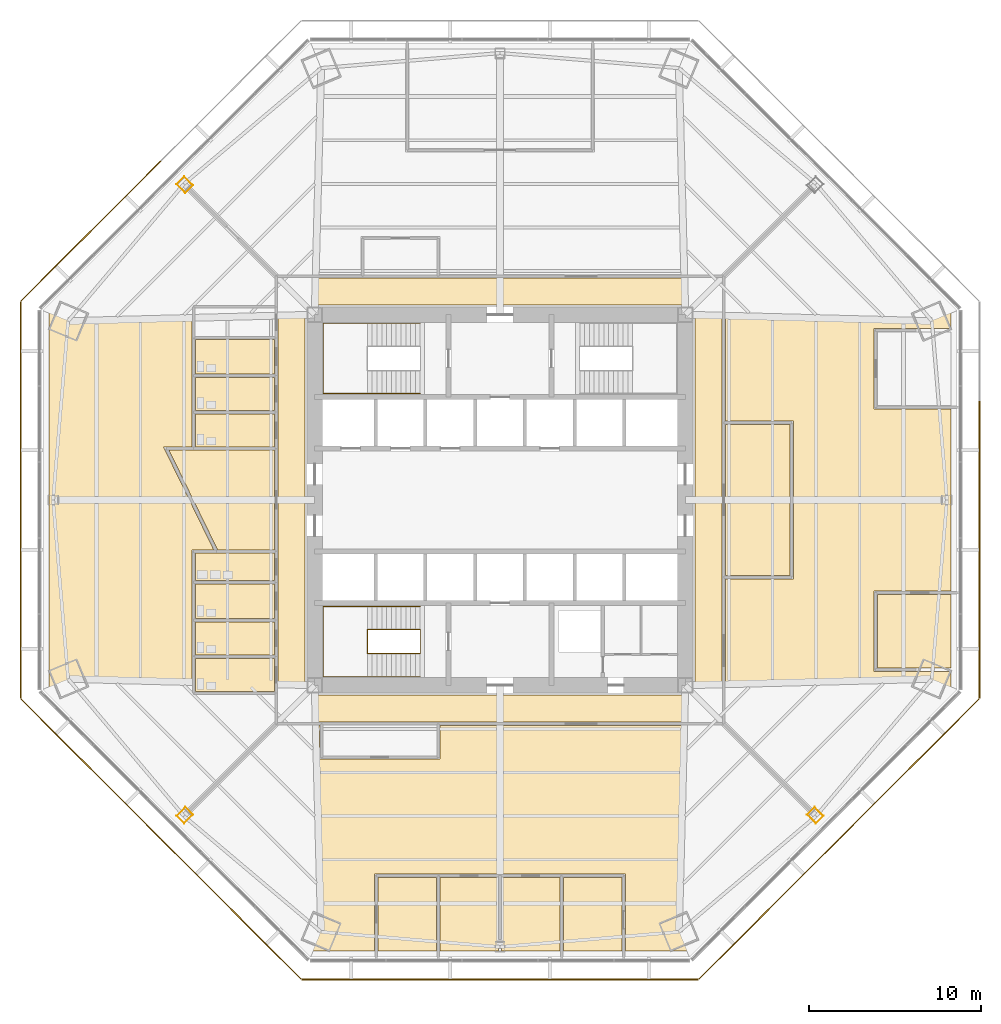
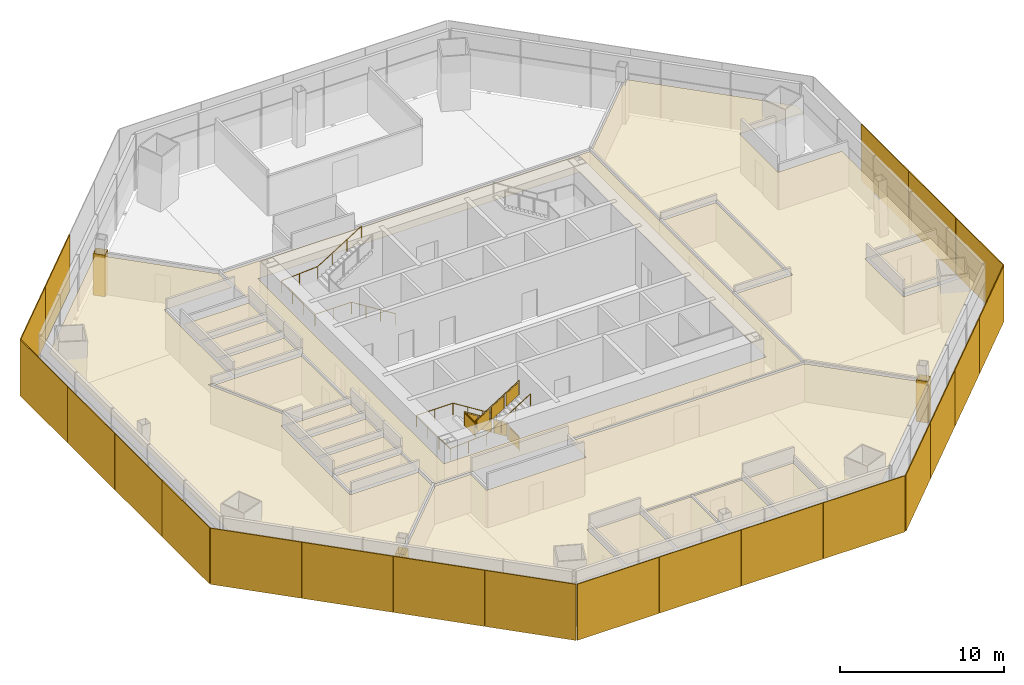
# One storey, part 12 of 14: 21 coverings, 21 shading devices, 3 railings.
"""IFC4 building model written with IfcOpenShell, lengths in metres."""

from ifc_helpers import new_model, si_unit, direction, frame, origin, origin_2d, place, context, subcontext, project, spatial, polyline, rectangle, circle, outline, extrude, source, transform, mapped, material, layer, layer_set, type_object, type_shapes, element, save


model = new_model("IFC4")

# Units and contexts
model_context = context("Model", 3, precision=1e-05, world=origin(), true_north=direction((0.0, 1.0)))
body_context = subcontext(model_context, "Body", "Model", "MODEL_VIEW")
ifc_project = project(units=[si_unit("LENGTHUNIT", "METRE"), si_unit("AREAUNIT", "SQUARE_METRE"), si_unit("VOLUMEUNIT", "CUBIC_METRE"), si_unit("PLANEANGLEUNIT", "RADIAN"), si_unit("MASSUNIT", "GRAM", prefix="KILO")], contexts=[model_context])

# Site, building, storey
site_placement = place(None, origin())
site = spatial("IfcSite", under=ifc_project, at=site_placement, CompositionType="ELEMENT")
building_placement = place(site_placement, origin())
building = spatial("IfcBuilding", under=site, at=building_placement, Name="Mashrafa Tower", CompositionType="ELEMENT")
storey_placement = place(building_placement, frame((0.0, 0.0, 41.39990234375)))
storey = spatial("IfcBuildingStorey", under=building, at=storey_placement, Name="L08", CompositionType="ELEMENT", Elevation=41.39990234375)

# Coverings
ifc_material_1 = material(Name="Gypsum board")
ifc_layer_1 = layer(ifc_material_1, 0.014892578125)
ifc_layer_set_1 = layer_set([ifc_layer_1], Name="Column casing plasterboard 15")
covering_type_1 = type_object("IfcCoveringType", Name="Column casing plasterboard 15", PredefinedType="CLADDING", material=ifc_layer_set_1)
covering_1_placement = place(storey_placement, origin())
element("IfcCovering", 1, at=covering_1_placement, inside=storey, type_object=covering_type_1, Name="Column casing L08-002", PredefinedType="CLADDING", context=body_context, shape_type="SweptSolid", body=[
    extrude(outline(polyline([(-18.861083984375, 18.415771484375), (-18.415771484375, 18.861083984375), (-17.885986328125, 18.33154296875), (-18.33154296875, 17.885986328125), (-18.861083984375, 18.415771484375)]), holes=[polyline([(-17.9072265625, 18.33154296875), (-18.415771484375, 18.83984375), (-18.83984375, 18.415771484375), (-18.33154296875, 17.9072265625), (-17.9072265625, 18.33154296875)])]), origin(), (0.0, 0.0, 1.0), 3.097900390625),
])
covering_2_placement = place(storey_placement, origin())
element("IfcCovering", 2, at=covering_2_placement, inside=storey, type_object=covering_type_1, Name="Column casing L08-003", PredefinedType="CLADDING", context=body_context, shape_type="SweptSolid", body=[
    extrude(outline(polyline([(-18.861083984375, -18.415771484375), (-18.33154296875, -17.885986328125), (-17.885986328125, -18.33154296875), (-18.415771484375, -18.861083984375), (-18.861083984375, -18.415771484375)]), holes=[polyline([(-17.9072265625, -18.33154296875), (-18.33154296875, -17.9072265625), (-18.83984375, -18.415771484375), (-18.415771484375, -18.83984375), (-17.9072265625, -18.33154296875)])]), origin(), (0.0, 0.0, 1.0), 3.097900390625),
])
covering_3_placement = place(storey_placement, origin())
element("IfcCovering", 3, at=covering_3_placement, inside=storey, type_object=covering_type_1, Name="Column casing L08-004", PredefinedType="CLADDING", context=body_context, shape_type="SweptSolid", body=[
    extrude(outline(polyline([(17.885986328125, -18.33154296875), (18.33154296875, -17.885986328125), (18.861083984375, -18.415771484375), (18.415771484375, -18.861083984375), (17.885986328125, -18.33154296875)]), holes=[polyline([(18.83984375, -18.415771484375), (18.33154296875, -17.9072265625), (17.9072265625, -18.33154296875), (18.415771484375, -18.83984375), (18.83984375, -18.415771484375)])]), origin(), (0.0, 0.0, 1.0), 3.097900390625),
])

# Railings
ifc_material_2 = material(Name="Steel guard with glass infill", Category="steel")
railing_type_1 = type_object("IfcRailingType", Name="Stair guard 1100", PredefinedType="GUARDRAIL", material=ifc_material_2)
railing_1_placement = place(storey_placement, frame((-4.64990234375, -8.949951171875, 0.0)))
element("IfcRailing", 4, at=railing_1_placement, inside=storey, type_object=railing_type_1, Name="Stair S3 guard L08", PredefinedType="GUARDRAIL", context=body_context, shape_type="SweptSolid", body=[
    extrude(circle(Radius=0.02392578125, at=origin_2d()), frame((0.0, 0.0, 1.076171875), z_axis=(0.0, 1.0, 0.0), x_axis=(-1.0, 0.0, 0.0)), (0.0, 0.0, 1.0), 1.39990234375),
    extrude(circle(Radius=0.02392578125, at=origin_2d()), frame((0.0, 1.39990234375, 1.076171875), z_axis=(0.0, 0.0, 1.0), x_axis=(1.0, 0.0, 0.0)), (0.0, 0.0, 1.0), 0.175048828125),
    extrude(circle(Radius=0.02392578125, at=origin_2d()), frame((0.0, 1.39990234375, 1.2509765625), z_axis=(-0.847998304005, 0.0, 0.529998940003), x_axis=(0.0, -1.0, 0.0)), (0.0, 0.0, 1.0), 3.632080078125),
    extrude(circle(Radius=0.02392578125, at=origin_2d()), frame((-3.080078125, 1.39990234375, 3.17626953125), z_axis=(0.0, -1.0, 0.0), x_axis=(1.0, 0.0, 0.0)), (0.0, 0.0, 1.0), 1.39990234375),
    extrude(circle(Radius=0.02392578125, at=origin_2d()), frame((-3.080078125, 0.0, 3.17626953125), z_axis=(0.0, 0.0, 1.0), x_axis=(1.0, 0.0, 0.0)), (0.0, 0.0, 1.0), 0.175048828125),
    extrude(circle(Radius=0.02392578125, at=origin_2d()), frame((-3.080078125, 0.0, 3.35107421875), z_axis=(0.847998304005, 0.0, 0.529998940003), x_axis=(0.0, 1.0, 0.0)), (0.0, 0.0, 1.0), 3.632080078125),
    extrude(circle(Radius=0.02099609375, at=origin_2d()), origin(), (0.0, 0.0, 1.0), 1.052001953125),
    extrude(circle(Radius=0.02099609375, at=origin_2d()), frame((0.0, 1.39990234375, 0.0)), (0.0, 0.0, 1.0), 1.052001953125),
    extrude(circle(Radius=0.02099609375, at=origin_2d()), frame((0.0, 1.39990234375, 0.175048828125)), (0.0, 0.0, 1.0), 1.052001953125),
    extrude(circle(Radius=0.02099609375, at=origin_2d()), frame((-1.026611328125, 1.39990234375, 0.816650390625)), (0.0, 0.0, 1.0), 1.052001953125),
    extrude(circle(Radius=0.02099609375, at=origin_2d()), frame((-2.053466796875, 1.39990234375, 1.45849609375)), (0.0, 0.0, 1.0), 1.052001953125),
    extrude(circle(Radius=0.02099609375, at=origin_2d()), frame((-3.080078125, 1.39990234375, 2.10009765625)), (0.0, 0.0, 1.0), 1.052001953125),
    extrude(circle(Radius=0.02099609375, at=origin_2d()), frame((-3.080078125, 0.0, 2.10009765625)), (0.0, 0.0, 1.0), 1.052001953125),
    extrude(circle(Radius=0.02099609375, at=origin_2d()), frame((-3.080078125, 0.0, 2.275146484375)), (0.0, 0.0, 1.0), 1.052001953125),
    extrude(circle(Radius=0.02099609375, at=origin_2d()), frame((-2.053466796875, 0.0, 2.916748046875)), (0.0, 0.0, 1.0), 1.052001953125),
    extrude(circle(Radius=0.02099609375, at=origin_2d()), frame((-1.026611328125, 0.0, 3.55859375)), (0.0, 0.0, 1.0), 1.052001953125),
    extrude(circle(Radius=0.02099609375, at=origin_2d()), frame((0.0, 0.0, 4.2001953125)), (0.0, 0.0, 1.0), 1.052001953125),
    extrude(outline(polyline([(0.071044921875, 0.050048828125), (1.328857421875, 0.050048828125), (1.328857421875, 1.001953125), (0.071044921875, 1.001953125), (0.071044921875, 0.050048828125)])), frame((0.006103515625, 0.0, 0.0), z_axis=(1.0, 0.0, 0.0), x_axis=(0.0, 1.0, 0.0)), (0.0, 0.0, 1.0), 0.011962890625),
    extrude(outline(polyline([(0.071044921875, 0.094482421875), (0.955810546875, 0.647216796875), (0.955810546875, 1.599365234375), (0.071044921875, 1.04638671875), (0.071044921875, 0.094482421875)])), frame((0.0, 1.406005859375, 0.175048828125), z_axis=(0.0, 1.0, 0.0), x_axis=(-1.0, 0.0, 0.0)), (0.0, 0.0, 1.0), 0.011962890625),
    extrude(outline(polyline([(1.09765625, 0.736083984375), (1.982421875, 1.2890625), (1.982421875, 2.240966796875), (1.09765625, 1.68798828125), (1.09765625, 0.736083984375)])), frame((0.0, 1.406005859375, 0.175048828125), z_axis=(0.0, 1.0, 0.0), x_axis=(-1.0, 0.0, 0.0)), (0.0, 0.0, 1.0), 0.011962890625),
    extrude(outline(polyline([(2.124267578125, 1.377685546875), (3.009033203125, 1.9306640625), (3.009033203125, 2.882568359375), (2.124267578125, 2.329833984375), (2.124267578125, 1.377685546875)])), frame((0.0, 1.406005859375, 0.175048828125), z_axis=(0.0, 1.0, 0.0), x_axis=(-1.0, 0.0, 0.0)), (0.0, 0.0, 1.0), 0.011962890625),
    extrude(outline(polyline([(0.071044921875, 0.050048828125), (1.328857421875, 0.050048828125), (1.328857421875, 1.001953125), (0.071044921875, 1.001953125), (0.071044921875, 0.050048828125)])), frame((-3.086181640625, 1.39990234375, 2.10009765625), z_axis=(-1.0, 0.0, 0.0), x_axis=(0.0, -1.0, 0.0)), (0.0, 0.0, 1.0), 0.011962890625),
    extrude(outline(polyline([(0.071044921875, 0.094482421875), (0.955810546875, 0.647216796875), (0.955810546875, 1.599365234375), (0.071044921875, 1.04638671875), (0.071044921875, 0.094482421875)])), frame((-3.080078125, -0.006103515625, 2.275146484375), z_axis=(0.0, -1.0, 0.0), x_axis=(1.0, 0.0, 0.0)), (0.0, 0.0, 1.0), 0.011962890625),
    extrude(outline(polyline([(1.09765625, 0.736083984375), (1.982421875, 1.2890625), (1.982421875, 2.240966796875), (1.09765625, 1.68798828125), (1.09765625, 0.736083984375)])), frame((-3.080078125, -0.006103515625, 2.275146484375), z_axis=(0.0, -1.0, 0.0), x_axis=(1.0, 0.0, 0.0)), (0.0, 0.0, 1.0), 0.011962890625),
    extrude(outline(polyline([(2.124267578125, 1.377685546875), (3.009033203125, 1.9306640625), (3.009033203125, 2.882568359375), (2.124267578125, 2.329833984375), (2.124267578125, 1.377685546875)])), frame((-3.080078125, -0.006103515625, 2.275146484375), z_axis=(0.0, -1.0, 0.0), x_axis=(1.0, 0.0, 0.0)), (0.0, 0.0, 1.0), 0.011962890625),
])
ifc_material_3 = material(Name="Steel", Category="steel")
railing_type_2 = type_object("IfcRailingType", Name="Stair handrail 900", PredefinedType="HANDRAIL", material=ifc_material_3)
railing_2_placement = place(storey_placement, frame((-4.64990234375, 6.199951171875, 0.175048828125)))
element("IfcRailing", 5, at=railing_2_placement, inside=storey, type_object=railing_type_2, Name="Stair S1 handrail L08", PredefinedType="HANDRAIL", context=body_context, shape_type="SweptSolid", body=[
    extrude(circle(Radius=0.02392578125, at=origin_2d()), frame((0.0, 0.0, 0.8759765625), z_axis=(-0.847998304005, 0.0, 0.529998940003), x_axis=(0.0, -1.0, 0.0)), (0.0, 0.0, 1.0), 3.632080078125),
    extrude(circle(Radius=0.02392578125, at=origin_2d()), frame((-3.080078125, 0.0, 2.80078125), z_axis=(-1.0, 0.0, 0.0), x_axis=(0.0, -1.0, 0.0)), (0.0, 0.0, 1.0), 2.570068359375),
    extrude(circle(Radius=0.02392578125, at=origin_2d()), frame((-5.650146484375, 0.0, 2.80078125), z_axis=(0.0, 1.0, 0.0), x_axis=(-1.0, 0.0, 0.0)), (0.0, 0.0, 1.0), 4.10009765625),
    extrude(circle(Radius=0.02392578125, at=origin_2d()), frame((-5.650146484375, 4.10009765625, 2.80078125), z_axis=(0.997688514158, 0.0, 0.067953136188), x_axis=(0.0, 1.0, 0.0)), (0.0, 0.0, 1.0), 2.575927734375),
    extrude(circle(Radius=0.02392578125, at=origin_2d()), frame((-3.080078125, 4.10009765625, 2.97607421875), z_axis=(0.847998304005, 0.0, 0.529998940003), x_axis=(0.0, 1.0, 0.0)), (0.0, 0.0, 1.0), 3.632080078125),
    extrude(circle(Radius=0.02099609375, at=origin_2d()), origin(), (0.0, 0.0, 1.0), 0.851806640625),
    extrude(circle(Radius=0.02099609375, at=origin_2d()), frame((-1.026611328125, 0.0, 0.6416015625)), (0.0, 0.0, 1.0), 0.851806640625),
    extrude(circle(Radius=0.02099609375, at=origin_2d()), frame((-2.053466796875, 0.0, 1.283447265625)), (0.0, 0.0, 1.0), 0.851806640625),
    extrude(circle(Radius=0.02099609375, at=origin_2d()), frame((-3.080078125, 0.0, 1.925048828125)), (0.0, 0.0, 1.0), 0.851806640625),
    extrude(circle(Radius=0.02099609375, at=origin_2d()), frame((-4.365234375, 0.0, 1.925048828125)), (0.0, 0.0, 1.0), 0.851806640625),
    extrude(circle(Radius=0.02099609375, at=origin_2d()), frame((-5.650146484375, 0.0, 1.925048828125)), (0.0, 0.0, 1.0), 0.851806640625),
    extrude(circle(Radius=0.02099609375, at=origin_2d()), frame((-5.650146484375, 1.36669921875, 1.925048828125)), (0.0, 0.0, 1.0), 0.851806640625),
    extrude(circle(Radius=0.02099609375, at=origin_2d()), frame((-5.650146484375, 2.7333984375, 1.925048828125)), (0.0, 0.0, 1.0), 0.851806640625),
    extrude(circle(Radius=0.02099609375, at=origin_2d()), frame((-5.650146484375, 4.10009765625, 1.925048828125)), (0.0, 0.0, 1.0), 0.851806640625),
    extrude(circle(Radius=0.02099609375, at=origin_2d()), frame((-4.365234375, 4.10009765625, 2.0126953125)), (0.0, 0.0, 1.0), 0.851806640625),
    extrude(circle(Radius=0.02099609375, at=origin_2d()), frame((-3.080078125, 4.10009765625, 2.10009765625)), (0.0, 0.0, 1.0), 0.851806640625),
    extrude(circle(Radius=0.02099609375, at=origin_2d()), frame((-2.053466796875, 4.10009765625, 2.74169921875)), (0.0, 0.0, 1.0), 0.851806640625),
    extrude(circle(Radius=0.02099609375, at=origin_2d()), frame((-1.026611328125, 4.10009765625, 3.383544921875)), (0.0, 0.0, 1.0), 0.851806640625),
    extrude(circle(Radius=0.02099609375, at=origin_2d()), frame((0.0, 4.10009765625, 4.025146484375)), (0.0, 0.0, 1.0), 0.851806640625),
])
railing_3_placement = place(storey_placement, frame((-4.64990234375, -6.199951171875, 0.175048828125)))
element("IfcRailing", 6, at=railing_3_placement, inside=storey, type_object=railing_type_2, Name="Stair S3 handrail L08", PredefinedType="HANDRAIL", context=body_context, shape_type="SweptSolid", body=[
    extrude(circle(Radius=0.02392578125, at=origin_2d()), frame((0.0, 0.0, 0.8759765625), z_axis=(-0.847998304005, 0.0, 0.529998940003), x_axis=(0.0, -1.0, 0.0)), (0.0, 0.0, 1.0), 3.632080078125),
    extrude(circle(Radius=0.02392578125, at=origin_2d()), frame((-3.080078125, 0.0, 2.80078125), z_axis=(-1.0, 0.0, 0.0), x_axis=(0.0, -1.0, 0.0)), (0.0, 0.0, 1.0), 2.570068359375),
    extrude(circle(Radius=0.02392578125, at=origin_2d()), frame((-5.650146484375, 0.0, 2.80078125), z_axis=(0.0, -1.0, 0.0), x_axis=(1.0, 0.0, 0.0)), (0.0, 0.0, 1.0), 4.10009765625),
    extrude(circle(Radius=0.02392578125, at=origin_2d()), frame((-5.650146484375, -4.10009765625, 2.80078125), z_axis=(0.997688514158, 0.0, 0.067953136188), x_axis=(0.0, 1.0, 0.0)), (0.0, 0.0, 1.0), 2.575927734375),
    extrude(circle(Radius=0.02392578125, at=origin_2d()), frame((-3.080078125, -4.10009765625, 2.97607421875), z_axis=(0.847998304005, 0.0, 0.529998940003), x_axis=(0.0, 1.0, 0.0)), (0.0, 0.0, 1.0), 3.632080078125),
    extrude(circle(Radius=0.02099609375, at=origin_2d()), origin(), (0.0, 0.0, 1.0), 0.851806640625),
    extrude(circle(Radius=0.02099609375, at=origin_2d()), frame((-1.026611328125, 0.0, 0.6416015625)), (0.0, 0.0, 1.0), 0.851806640625),
    extrude(circle(Radius=0.02099609375, at=origin_2d()), frame((-2.053466796875, 0.0, 1.283447265625)), (0.0, 0.0, 1.0), 0.851806640625),
    extrude(circle(Radius=0.02099609375, at=origin_2d()), frame((-3.080078125, 0.0, 1.925048828125)), (0.0, 0.0, 1.0), 0.851806640625),
    extrude(circle(Radius=0.02099609375, at=origin_2d()), frame((-4.365234375, 0.0, 1.925048828125)), (0.0, 0.0, 1.0), 0.851806640625),
    extrude(circle(Radius=0.02099609375, at=origin_2d()), frame((-5.650146484375, 0.0, 1.925048828125)), (0.0, 0.0, 1.0), 0.851806640625),
    extrude(circle(Radius=0.02099609375, at=origin_2d()), frame((-5.650146484375, -1.36669921875, 1.925048828125)), (0.0, 0.0, 1.0), 0.851806640625),
    extrude(circle(Radius=0.02099609375, at=origin_2d()), frame((-5.650146484375, -2.7333984375, 1.925048828125)), (0.0, 0.0, 1.0), 0.851806640625),
    extrude(circle(Radius=0.02099609375, at=origin_2d()), frame((-5.650146484375, -4.10009765625, 1.925048828125)), (0.0, 0.0, 1.0), 0.851806640625),
    extrude(circle(Radius=0.02099609375, at=origin_2d()), frame((-4.365234375, -4.10009765625, 2.0126953125)), (0.0, 0.0, 1.0), 0.851806640625),
    extrude(circle(Radius=0.02099609375, at=origin_2d()), frame((-3.080078125, -4.10009765625, 2.10009765625)), (0.0, 0.0, 1.0), 0.851806640625),
    extrude(circle(Radius=0.02099609375, at=origin_2d()), frame((-2.053466796875, -4.10009765625, 2.74169921875)), (0.0, 0.0, 1.0), 0.851806640625),
    extrude(circle(Radius=0.02099609375, at=origin_2d()), frame((-1.026611328125, -4.10009765625, 3.383544921875)), (0.0, 0.0, 1.0), 0.851806640625),
    extrude(circle(Radius=0.02099609375, at=origin_2d()), frame((0.0, -4.10009765625, 4.025146484375)), (0.0, 0.0, 1.0), 0.851806640625),
])

# Coverings
ifc_material_4 = material(Name="Mineral fibre tile on suspension grid")
ifc_layer_2 = layer(ifc_material_4, 0.014892578125)
ifc_layer_set_2 = layer_set([ifc_layer_2], Name="Suspended ceiling mineral tile 15")
covering_type_2 = type_object("IfcCoveringType", Name="Suspended ceiling mineral tile 15", PredefinedType="CEILING", material=ifc_layer_set_2)
covering_4_placement = place(storey_placement, frame((0.0, 0.0, 2.85009765625)))
element("IfcCovering", 7, at=covering_4_placement, inside=storey, type_object=covering_type_2, Name="Ceiling Office Corridor L08", PredefinedType="CEILING", context=body_context, shape_type="SweptSolid", body=[
    extrude(outline(polyline([(-12.949951171875, -12.949951171875), (-12.949951171875, 12.949951171875), (12.949951171875, 12.949951171875), (12.949951171875, -12.949951171875), (-12.949951171875, -12.949951171875)]), holes=[polyline([(11.35009765625, 11.35009765625), (-11.35009765625, 11.35009765625), (-11.35009765625, -11.35009765625), (11.35009765625, -11.35009765625), (11.35009765625, 11.35009765625)])]), origin(), (0.0, 0.0, 1.0), 0.014892578125),
])
covering_5_placement = place(storey_placement, frame((0.0, 0.0, 2.900146484375)))
element("IfcCovering", 8, at=covering_5_placement, inside=storey, type_object=covering_type_2, Name="Ceiling WC Female L08 N", PredefinedType="CEILING", context=body_context, shape_type="SweptSolid", body=[
    extrude(outline(polyline([(-17.75, 3.10009765625), (-17.75, 5.02490234375), (-13.14990234375, 5.02490234375), (-13.14990234375, 3.10009765625), (-17.75, 3.10009765625)])), origin(), (0.0, 0.0, 1.0), 0.014892578125),
])
covering_6_placement = place(storey_placement, frame((0.0, 0.0, 2.900146484375)))
element("IfcCovering", 9, at=covering_6_placement, inside=storey, type_object=covering_type_2, Name="Ceiling WC Male L08 N", PredefinedType="CEILING", context=body_context, shape_type="SweptSolid", body=[
    extrude(outline(polyline([(-17.75, 5.22509765625), (-17.75, 7.14990234375), (-13.14990234375, 7.14990234375), (-13.14990234375, 5.22509765625), (-17.75, 5.22509765625)])), origin(), (0.0, 0.0, 1.0), 0.014892578125),
])
covering_7_placement = place(storey_placement, frame((0.0, 0.0, 2.900146484375)))
element("IfcCovering", 10, at=covering_7_placement, inside=storey, type_object=covering_type_2, Name="Ceiling Accessible WC L08 N", PredefinedType="CEILING", context=body_context, shape_type="SweptSolid", body=[
    extrude(outline(polyline([(-17.75, 7.35009765625), (-17.75, 9.35009765625), (-13.14990234375, 9.35009765625), (-13.14990234375, 7.35009765625), (-17.75, 7.35009765625)])), origin(), (0.0, 0.0, 1.0), 0.014892578125),
])
covering_8_placement = place(storey_placement, frame((0.0, 0.0, 2.900146484375)))
element("IfcCovering", 11, at=covering_8_placement, inside=storey, type_object=covering_type_2, Name="Ceiling WC Female L08 S", PredefinedType="CEILING", context=body_context, shape_type="SweptSolid", body=[
    extrude(outline(polyline([(-17.75, -11.14990234375), (-17.75, -9.22509765625), (-13.14990234375, -9.22509765625), (-13.14990234375, -11.14990234375), (-17.75, -11.14990234375)])), origin(), (0.0, 0.0, 1.0), 0.014892578125),
])
covering_9_placement = place(storey_placement, frame((0.0, 0.0, 2.900146484375)))
element("IfcCovering", 12, at=covering_9_placement, inside=storey, type_object=covering_type_2, Name="Ceiling WC Male L08 S", PredefinedType="CEILING", context=body_context, shape_type="SweptSolid", body=[
    extrude(outline(polyline([(-17.75, -9.02490234375), (-17.75, -7.10009765625), (-13.14990234375, -7.10009765625), (-13.14990234375, -9.02490234375), (-17.75, -9.02490234375)])), origin(), (0.0, 0.0, 1.0), 0.014892578125),
])
covering_10_placement = place(storey_placement, frame((0.0, 0.0, 2.900146484375)))
element("IfcCovering", 13, at=covering_10_placement, inside=storey, type_object=covering_type_2, Name="Ceiling Accessible WC L08 S", PredefinedType="CEILING", context=body_context, shape_type="SweptSolid", body=[
    extrude(outline(polyline([(-17.75, -6.89990234375), (-17.75, -4.89990234375), (-13.14990234375, -4.89990234375), (-13.14990234375, -6.89990234375), (-17.75, -6.89990234375)])), origin(), (0.0, 0.0, 1.0), 0.014892578125),
])
covering_11_placement = place(storey_placement, frame((0.0, 0.0, 2.900146484375)))
element("IfcCovering", 14, at=covering_11_placement, inside=storey, type_object=covering_type_2, Name="Ceiling Ablution Room L08 S", PredefinedType="CEILING", context=body_context, shape_type="SweptSolid", body=[
    extrude(outline(polyline([(-17.75, -4.699951171875), (-17.75, -3.10009765625), (-13.14990234375, -3.10009765625), (-13.14990234375, -4.699951171875), (-17.75, -4.699951171875)])), origin(), (0.0, 0.0, 1.0), 0.014892578125),
])
covering_12_placement = place(storey_placement, frame((0.0, 0.0, 2.85009765625)))
element("IfcCovering", 15, at=covering_12_placement, inside=storey, type_object=covering_type_2, Name="Ceiling Musallah Prayer Room 08", PredefinedType="CEILING", context=body_context, shape_type="SweptSolid", body=[
    extrude(outline(polyline([(-16.461181640625, -2.89990234375), (-19.2900390625, 2.89990234375), (-13.14990234375, 2.89990234375), (-13.14990234375, -2.89990234375), (-16.461181640625, -2.89990234375)])), origin(), (0.0, 0.0, 1.0), 0.014892578125),
])
covering_13_placement = place(storey_placement, frame((0.0, 0.0, 2.85009765625)))
element("IfcCovering", 16, at=covering_13_placement, inside=storey, type_object=covering_type_2, Name="Ceiling Reception and Waiting 08", PredefinedType="CEILING", context=body_context, shape_type="SweptSolid", body=[
    extrude(outline(polyline([(13.14990234375, 4.39990234375), (16.89990234375, 4.39990234375), (16.89990234375, -4.39990234375), (13.14990234375, -4.39990234375), (13.14990234375, 4.39990234375)])), origin(), (0.0, 0.0, 1.0), 0.014892578125),
])
covering_14_placement = place(storey_placement, frame((0.0, 0.0, 2.900146484375)))
element("IfcCovering", 17, at=covering_14_placement, inside=storey, type_object=covering_type_2, Name="Ceiling Executive Office 08-1", PredefinedType="CEILING", context=body_context, shape_type="SweptSolid", body=[
    extrude(outline(polyline([(-7.10009765625, -21.99365234375), (-3.699951171875, -21.99365234375), (-3.699951171875, -26.293701171875), (-7.10009765625, -26.293701171875), (-7.10009765625, -21.99365234375)])), origin(), (0.0, 0.0, 1.0), 0.014892578125),
])
covering_15_placement = place(storey_placement, frame((0.0, 0.0, 2.900146484375)))
element("IfcCovering", 18, at=covering_15_placement, inside=storey, type_object=covering_type_2, Name="Ceiling Executive Office 08-2", PredefinedType="CEILING", context=body_context, shape_type="SweptSolid", body=[
    extrude(outline(polyline([(-3.5, -21.99365234375), (-0.10009765625, -21.99365234375), (-0.10009765625, -26.293701171875), (-3.5, -26.293701171875), (-3.5, -21.99365234375)])), origin(), (0.0, 0.0, 1.0), 0.014892578125),
])
covering_16_placement = place(storey_placement, frame((0.0, 0.0, 2.900146484375)))
element("IfcCovering", 19, at=covering_16_placement, inside=storey, type_object=covering_type_2, Name="Ceiling Executive Office 08-3", PredefinedType="CEILING", context=body_context, shape_type="SweptSolid", body=[
    extrude(outline(polyline([(0.10009765625, -21.99365234375), (3.5, -21.99365234375), (3.5, -26.293701171875), (0.10009765625, -26.293701171875), (0.10009765625, -21.99365234375)])), origin(), (0.0, 0.0, 1.0), 0.014892578125),
])
covering_17_placement = place(storey_placement, frame((0.0, 0.0, 2.900146484375)))
element("IfcCovering", 20, at=covering_17_placement, inside=storey, type_object=covering_type_2, Name="Ceiling Executive Office 08-4", PredefinedType="CEILING", context=body_context, shape_type="SweptSolid", body=[
    extrude(outline(polyline([(3.699951171875, -21.99365234375), (7.10009765625, -21.99365234375), (7.10009765625, -26.293701171875), (3.699951171875, -26.293701171875), (3.699951171875, -21.99365234375)])), origin(), (0.0, 0.0, 1.0), 0.014892578125),
])
covering_18_placement = place(storey_placement, frame((0.0, 0.0, 2.900146484375)))
element("IfcCovering", 21, at=covering_18_placement, inside=storey, type_object=covering_type_2, Name="Ceiling Meeting Room 08-2", PredefinedType="CEILING", context=body_context, shape_type="SweptSolid", body=[
    extrude(outline(polyline([(21.99365234375, -5.5), (26.293701171875, -5.5), (26.293701171875, -9.800048828125), (21.99365234375, -9.800048828125), (21.99365234375, -5.5)])), origin(), (0.0, 0.0, 1.0), 0.014892578125),
])
covering_19_placement = place(storey_placement, frame((0.0, 0.0, 2.85009765625)))
element("IfcCovering", 22, at=covering_19_placement, inside=storey, type_object=covering_type_2, Name="Ceiling Private Banking Office 08", PredefinedType="CEILING", context=body_context, shape_type="SweptSolid", body=[
    extrude(outline(polyline([(13.14990234375, 13.008544921875), (18.6630859375, 18.521484375), (26.293701171875, 10.89111328125), (26.293701171875, 10.0), (21.793701171875, 10.0), (21.793701171875, 5.300048828125), (26.293701171875, 5.300048828125), (26.293701171875, -5.300048828125), (21.793701171875, -5.300048828125), (21.793701171875, -10.0), (26.293701171875, -10.0), (26.293701171875, -10.89111328125), (18.6630859375, -18.521484375), (13.14990234375, -13.008544921875), (13.14990234375, -4.60009765625), (17.10009765625, -4.60009765625), (17.10009765625, 4.60009765625), (13.14990234375, 4.60009765625), (13.14990234375, 13.008544921875)])), origin(), (0.0, 0.0, 1.0), 0.014892578125),
])
covering_20_placement = place(storey_placement, frame((0.0, 0.0, 2.85009765625)))
element("IfcCovering", 23, at=covering_20_placement, inside=storey, type_object=covering_type_2, Name="Ceiling Treasury Operations Office 08", PredefinedType="CEILING", context=body_context, shape_type="SweptSolid", body=[
    extrude(outline(polyline([(13.008544921875, -13.14990234375), (18.521484375, -18.6630859375), (10.89111328125, -26.293701171875), (7.300048828125, -26.293701171875), (7.300048828125, -21.793701171875), (-7.300048828125, -21.793701171875), (-7.300048828125, -26.293701171875), (-10.89111328125, -26.293701171875), (-18.521484375, -18.6630859375), (-13.008544921875, -13.14990234375), (-10.5, -13.14990234375), (-10.5, -15.10009765625), (-3.5, -15.10009765625), (-3.5, -13.14990234375), (13.008544921875, -13.14990234375)])), origin(), (0.0, 0.0, 1.0), 0.014892578125),
])
covering_21_placement = place(storey_placement, frame((0.0, 0.0, 2.85009765625)))
element("IfcCovering", 24, at=covering_21_placement, inside=storey, type_object=covering_type_2, Name="Ceiling Risk and Compliance Office 08", PredefinedType="CEILING", context=body_context, shape_type="SweptSolid", body=[
    extrude(outline(polyline([(-13.14990234375, -13.008544921875), (-18.6630859375, -18.521484375), (-26.293701171875, -10.89111328125), (-26.293701171875, 10.89111328125), (-18.6630859375, 18.521484375), (-13.14990234375, 13.008544921875), (-13.14990234375, 11.35009765625), (-17.949951171875, 11.35009765625), (-17.949951171875, 3.10009765625), (-19.610107421875, 3.10009765625), (-16.68359375, -2.89990234375), (-17.949951171875, -2.89990234375), (-17.949951171875, -11.35009765625), (-13.14990234375, -11.35009765625), (-13.14990234375, -13.008544921875)])), origin(), (0.0, 0.0, 1.0), 0.014892578125),
])

# Shading devices
ifc_material_5 = material(Name="Perforated aluminium plate, eight-point star pattern", Category="aluminium")
ifc_layer_3 = layer(ifc_material_5, 0.06005859375)
ifc_layer_set_3 = layer_set([ifc_layer_3], Name="Mashrabiya screen panel office zone 1, 45 percent open")
shading_device_type = type_object("IfcShadingDeviceType", Name="Mashrabiya screen panel office zone 1, 45 percent open", PredefinedType="SHUTTER", material=ifc_layer_set_3)
shared_shape = source(origin(), body_context, "Body", "SweptSolid", [
    extrude(rectangle(XDim=5.756103515625, YDim=0.06005859375, at=origin_2d()), origin(), (0.0, 0.0, 1.0), 4.179931640625),
])
type_shapes(shading_device_type, [shared_shape])
for number, where, z_axis, x_axis, name in (
    (25, (27.943603515625, -8.6640625, -0.14990234375), (0.0, 0.0, 1.0), (0.0, 1.0, 0.0), "Mashrabiya screen L08 east 1"),
    (26, (27.943603515625, -2.887939453125, -0.14990234375), (0.0, 0.0, 1.0), (0.0, 1.0, 0.0), "Mashrabiya screen L08 east 2"),
    (27, (27.943603515625, 2.887939453125, -0.14990234375), (0.0, 0.0, 1.0), (0.0, 1.0, 0.0), "Mashrabiya screen L08 east 3"),
    (28, (-21.80126953125, 17.717041015625, -0.14990234375), (0.0, 0.0, 1.0), (-0.707106781187, -0.707106781187, 0.0), "Mashrabiya screen L08 north-west 3"),
    (29, (-25.885498046875, 13.632568359375, -0.14990234375), (0.0, 0.0, 1.0), (-0.707106781187, -0.707106781187, 0.0), "Mashrabiya screen L08 north-west 4"),
    (30, (-27.943603515625, 8.6640625, -0.14990234375), (0.0, 0.0, 1.0), (0.0, -1.0, 0.0), "Mashrabiya screen L08 west 1"),
    (31, (-27.943603515625, 2.887939453125, -0.14990234375), (0.0, 0.0, 1.0), (0.0, -1.0, 0.0), "Mashrabiya screen L08 west 2"),
    (32, (-27.943603515625, -2.887939453125, -0.14990234375), (0.0, 0.0, 1.0), (0.0, -1.0, 0.0), "Mashrabiya screen L08 west 3"),
    (33, (-27.943603515625, -8.6640625, -0.14990234375), (0.0, 0.0, 1.0), (0.0, -1.0, 0.0), "Mashrabiya screen L08 west 4"),
    (34, (-25.885498046875, -13.632568359375, -0.14990234375), (0.0, 0.0, 1.0), (0.707106781187, -0.707106781187, 0.0), "Mashrabiya screen L08 south-west 1"),
    (35, (-21.80126953125, -17.717041015625, -0.14990234375), (0.0, 0.0, 1.0), (0.707106781187, -0.707106781187, 0.0), "Mashrabiya screen L08 south-west 2"),
    (36, (-17.717041015625, -21.80126953125, -0.14990234375), (0.0, 0.0, 1.0), (0.707106781187, -0.707106781187, 0.0), "Mashrabiya screen L08 south-west 3"),
    (37, (-13.632568359375, -25.885498046875, -0.14990234375), (0.0, 0.0, 1.0), (0.707106781187, -0.707106781187, 0.0), "Mashrabiya screen L08 south-west 4"),
    (38, (-8.6640625, -27.943603515625, -0.14990234375), (0.0, 0.0, 1.0), (1.0, 0.0, 0.0), "Mashrabiya screen L08 south 1"),
    (39, (-2.887939453125, -27.943603515625, -0.14990234375), (0.0, 0.0, 1.0), (1.0, 0.0, 0.0), "Mashrabiya screen L08 south 2"),
    (40, (2.887939453125, -27.943603515625, -0.14990234375), (0.0, 0.0, 1.0), (1.0, 0.0, 0.0), "Mashrabiya screen L08 south 3"),
    (41, (8.6640625, -27.943603515625, -0.14990234375), (0.0, 0.0, 1.0), (1.0, 0.0, 0.0), "Mashrabiya screen L08 south 4"),
    (42, (13.632568359375, -25.885498046875, -0.14990234375), (0.0, 0.0, 1.0), (0.707106781187, 0.707106781187, 0.0), "Mashrabiya screen L08 south-east 1"),
    (43, (17.717041015625, -21.80126953125, -0.14990234375), (0.0, 0.0, 1.0), (0.707106781187, 0.707106781187, 0.0), "Mashrabiya screen L08 south-east 2"),
    (44, (21.80126953125, -17.717041015625, -0.14990234375), (0.0, 0.0, 1.0), (0.707106781187, 0.707106781187, 0.0), "Mashrabiya screen L08 south-east 3"),
    (45, (25.885498046875, -13.632568359375, -0.14990234375), (0.0, 0.0, 1.0), (0.707106781187, 0.707106781187, 0.0), "Mashrabiya screen L08 south-east 4"),
):
    element("IfcShadingDevice", number, at=place(storey_placement, frame(where, z_axis=z_axis, x_axis=x_axis)), inside=storey, type_object=shading_device_type, Name=name, PredefinedType="SHUTTER", context=body_context, shape_type="MappedRepresentation", body=[
        mapped(shared_shape, transform((0.0, 0.0, 0.0))),
    ])

save(model, "model.ifc")
